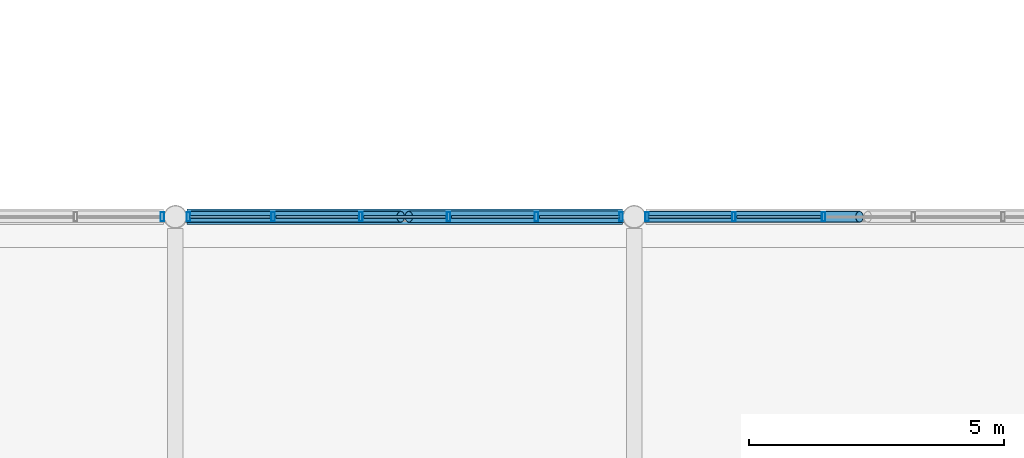
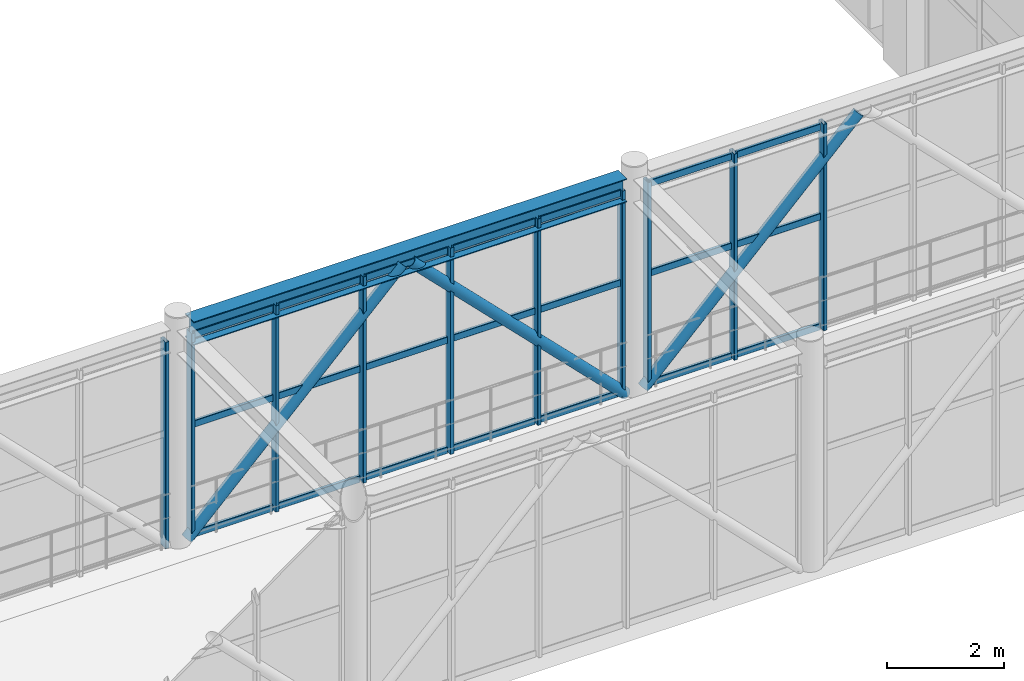
# One storey, part 61 of 178: 34 members, 1 beam, 3 elements without a shape of their own.
"""IFC4 building model written with IfcOpenShell, lengths in metres."""

import ifcopenshell
import ifcopenshell.guid

model = None  # the IFC model being written
_history = None  # IfcOwnerHistory: only IFC2X3 demands one
_inside = {}  # id of a spatial element -> (the spatial element, [elements in it])
_under = {}  # id of a project, library or spatial element -> (it, [spatial elements below it])
_declared = {}  # id of a project -> (the project, [libraries it declares])
_typed = {}  # id of a type object -> (the type object, [elements of that type])
_made_of = {}  # id of a material, layer set ... -> (it, [elements and type objects made of it])


def new_model(schema):
    """Start an empty IFC model of exactly this schema.

    Asked for "IFC4X3", IfcOpenShell would pick the latest addendum, in which some entities
    have other attributes; the version numbers below select the first issue.
    IFC2X3 requires an IfcOwnerHistory on every rooted entity: one is made here for all.
    """
    global model, _history
    if schema == "IFC4X3":
        model = ifcopenshell.file(schema_version=(4, 3, 0, 0))
    else:
        model = ifcopenshell.file(schema=schema)
    _inside.clear()
    _under.clear()
    _declared.clear()
    _typed.clear()
    _made_of.clear()
    _history = None
    if model.schema == "IFC2X3":
        org = make("IfcOrganization", Name="unknown")
        user = make(
            "IfcPersonAndOrganization",
            ThePerson=make("IfcPerson", FamilyName="unknown"),
            TheOrganization=org,
        )
        app = make(
            "IfcApplication",
            ApplicationDeveloper=org,
            Version="unknown",
            ApplicationFullName="unknown",
            ApplicationIdentifier="unknown",
        )
        _history = make(
            "IfcOwnerHistory",
            OwningUser=user,
            OwningApplication=app,
            ChangeAction="ADDED",
            CreationDate=0,
        )
    return model


def make(cls, **values):
    """One entity of the class cls with the attributes given. An attribute that is None is left unset."""
    return model.create_entity(
        cls, **{name: value for name, value in values.items() if value is not None}
    )


def rooted(cls, **values):
    """An entity with a GlobalId (a new one), such as an element, a storey or a relation."""
    return make(cls, GlobalId=ifcopenshell.guid.new(), OwnerHistory=_history, **values)


def si_unit(unit_type, name, prefix=None):
    """IfcSIUnit, for example si_unit("LENGTHUNIT", "METRE", prefix="MILLI")."""
    return make("IfcSIUnit", UnitType=unit_type, Prefix=prefix, Name=name)


def derived_unit(unit_type, elements):
    """IfcDerivedUnit: a product of units, each with its exponent."""
    return make(
        "IfcDerivedUnit",
        Elements=[
            make("IfcDerivedUnitElement", Unit=unit, Exponent=power)
            for unit, power in elements
        ],
        UnitType=unit_type,
    )


def assignment(units):
    """IfcUnitAssignment: the units of a project."""
    return None if units is None else make("IfcUnitAssignment", Units=units)


def point(xyz):
    """IfcCartesianPoint."""
    return None if xyz is None else make("IfcCartesianPoint", Coordinates=xyz)


def direction(xyz):
    """IfcDirection."""
    return None if xyz is None else make("IfcDirection", DirectionRatios=xyz)


def frame(location, z_axis=None, x_axis=None):
    """IfcAxis2Placement3D, a coordinate frame: its origin and axes. An axis left out is left unset."""
    return make(
        "IfcAxis2Placement3D",
        Location=point(location),
        Axis=direction(z_axis),
        RefDirection=direction(x_axis),
    )


def frame_2d(location, x_axis=None):
    """IfcAxis2Placement2D, a coordinate frame in the plane: its origin and x axis."""
    return make(
        "IfcAxis2Placement2D", Location=point(location), RefDirection=direction(x_axis)
    )


def origin():
    """The frame at (0, 0, 0) with its axes left unset."""
    return frame((0.0, 0.0, 0.0))


def origin_2d():
    """The frame at (0, 0) in the plane with its x axis left unset."""
    return frame_2d((0.0, 0.0))


def place(relative_to, where):
    """IfcLocalPlacement: puts the frame where relative to a parent placement (None: the world)."""
    return make(
        "IfcLocalPlacement", PlacementRelTo=relative_to, RelativePlacement=where
    )


def context(
    kind, dimensions, precision=None, world=None, true_north=None, identifier=None
):
    """IfcGeometricRepresentationContext, for example the 3D "Model" context."""
    return make(
        "IfcGeometricRepresentationContext",
        ContextIdentifier=identifier,
        ContextType=kind,
        CoordinateSpaceDimension=dimensions,
        Precision=precision,
        WorldCoordinateSystem=world,
        TrueNorth=true_north,
    )


def subcontext(parent, identifier, kind, view, scale=None):
    """IfcGeometricRepresentationSubContext, for example "Body" below "Model"."""
    return make(
        "IfcGeometricRepresentationSubContext",
        ContextIdentifier=identifier,
        ContextType=kind,
        ParentContext=parent,
        TargetScale=scale,
        TargetView=view,
    )


def project(units=None, contexts=None):
    """IfcProject with its units and contexts."""
    return rooted(
        "IfcProject",
        Name="project",
        RepresentationContexts=contexts,
        UnitsInContext=assignment(units),
    )


def spatial(cls, under=None, at=None, **own):
    """A site, building, storey or space (cls), placed at a placement, below another one or the project."""
    s = rooted(cls, ObjectPlacement=at, **own)
    if under is not None:
        _under.setdefault(under.id(), (under, []))[1].append(s)
    return s


def profile(cls, at=None, kind="AREA", **sizes):
    """A parametric profile (cls). Its sizes go by their IFC names, for example OverallWidth=200.0."""
    return make(cls, ProfileType=kind, Position=at, **sizes)


def hollow_rectangle(**sizes):
    """IfcRectangleHollowProfileDef."""
    return profile("IfcRectangleHollowProfileDef", **sizes)


def hollow_circle(**sizes):
    """IfcCircleHollowProfileDef."""
    return profile("IfcCircleHollowProfileDef", **sizes)


def i_section(**sizes):
    """IfcIShapeProfileDef."""
    return profile("IfcIShapeProfileDef", **sizes)


def extrude(swept, where, along, depth):
    """IfcExtrudedAreaSolid: the profile swept, set in the frame where, extruded along a direction by depth."""
    return make(
        "IfcExtrudedAreaSolid",
        SweptArea=swept,
        Position=where,
        ExtrudedDirection=direction(along),
        Depth=depth,
    )


def shape(context_of_items, identifier, shape_type, items):
    """IfcShapeRepresentation: the items that make up one representation, for example the "Body"."""
    return make(
        "IfcShapeRepresentation",
        ContextOfItems=context_of_items,
        RepresentationIdentifier=identifier,
        RepresentationType=shape_type,
        Items=items,
    )


def material(Name=None, Category=None):
    """IfcMaterial."""
    return make("IfcMaterial", Name=Name, Category=Category)


def material_profile(
    of_material, cross_section, Name=None, Category=None, Priority=None
):
    """IfcMaterialProfile: a cross section and its material."""
    return make(
        "IfcMaterialProfile",
        Name=Name,
        Material=of_material,
        Profile=cross_section,
        Priority=Priority,
        Category=Category,
    )


def profile_set(profiles, Name=None, composite=None):
    """IfcMaterialProfileSet."""
    return make(
        "IfcMaterialProfileSet",
        Name=Name,
        MaterialProfiles=profiles,
        CompositeProfile=composite,
    )


def made_of(thing, what):
    """Note that an element or type object is made of a material, layer set ...; save() writes the relation."""
    if what is not None:
        _made_of.setdefault(what.id(), (what, []))[1].append(thing)
    return thing


def type_object(cls, material=None, **own):
    """A type object (cls), such as IfcWallType, which elements share."""
    return made_of(rooted(cls, **own), material)


def element(
    cls,
    number,
    at=None,
    inside=None,
    cuts=None,
    type_object=None,
    material=None,
    context=None,
    identifier="Body",
    shape_type=None,
    held_by="IfcProductDefinitionShape",
    body=None,
    shapes=None,
    **own,
):
    """One element of the class cls, such as IfcWall. Its Tag is "e" and its number.

    at: its placement. inside: the storey or other place that contains it. cuts: it is an
    opening in that element (IfcRelVoidsElement). A single representation is given by context,
    identifier, shape_type and body (its items); several are given by shapes. held_by: the class
    of the entity that holds the representations. save() writes the other relations.
    """
    e = rooted(cls, Tag="e%d" % number, ObjectPlacement=at, **own)
    if body is not None:
        shapes = [shape(context, identifier, shape_type, body)]
    if shapes is not None:
        e.Representation = make(held_by, Representations=shapes)
    if inside is not None:
        _inside.setdefault(inside.id(), (inside, []))[1].append(e)
    if cuts is not None:
        rooted(
            "IfcRelVoidsElement", RelatingBuildingElement=cuts, RelatedOpeningElement=e
        )
    if type_object is not None:
        _typed.setdefault(type_object.id(), (type_object, []))[1].append(e)
    return made_of(e, material)


def aggregate(whole, parts):
    """IfcRelAggregates: a whole, such as a stair, and the parts it consists of."""
    return rooted("IfcRelAggregates", RelatingObject=whole, RelatedObjects=parts)


def save(model, path):
    """Write the relations noted so far, then the file.

    IfcRelAggregates (storeys below a building ...), IfcRelContainedInSpatialStructure (elements
    in a storey), IfcRelDefinesByType, IfcRelAssociatesMaterial and IfcRelDeclares: one each for
    every whole, place, type object, material and project.
    """
    for whole, parts in _under.values():
        aggregate(whole, parts)
    for where, things in _inside.values():
        rooted(
            "IfcRelContainedInSpatialStructure",
            RelatedElements=things,
            RelatingStructure=where,
        )
    for kind, things in _typed.values():
        rooted("IfcRelDefinesByType", RelatedObjects=things, RelatingType=kind)
    for what, things in _made_of.values():
        rooted("IfcRelAssociatesMaterial", RelatedObjects=things, RelatingMaterial=what)
    for by, libraries in _declared.values():
        rooted("IfcRelDeclares", RelatingContext=by, RelatedDefinitions=libraries)
    model.write(path)


model = new_model("IFC4")

# Units and contexts
model_context = context("Model", 3, precision=1e-05, world=origin(), true_north=direction((0.0, 1.0)))
body_context = subcontext(model_context, "Body", "Model", "MODEL_VIEW")
ifc_project = project(units=[si_unit("LENGTHUNIT", "METRE"), si_unit("AREAUNIT", "SQUARE_METRE"), si_unit("VOLUMEUNIT", "CUBIC_METRE"), si_unit("PLANEANGLEUNIT", "RADIAN"), si_unit("MASSUNIT", "GRAM", prefix="KILO"), derived_unit("THERMALTRANSMITTANCEUNIT", [(si_unit("MASSUNIT", "GRAM", prefix="KILO"), 1), (si_unit("TIMEUNIT", "SECOND"), -3), (si_unit("THERMODYNAMICTEMPERATUREUNIT", "KELVIN"), -1)])], contexts=[model_context])

# Site, building, storey
site_placement = place(None, origin())
site = spatial("IfcSite", under=ifc_project, at=site_placement, CompositionType="ELEMENT")
building_placement = place(site_placement, origin())
building = spatial("IfcBuilding", under=site, at=building_placement, Name="Zhenchuan Archway Interchange", CompositionType="ELEMENT")
storey_placement = place(building_placement, frame((0.0, 0.0, 5.39990234375)))
storey = spatial("IfcBuildingStorey", under=building, at=storey_placement, Name="L01", CompositionType="ELEMENT", Elevation=5.39990234375)

# Beam
ifc_material_1 = material(Name="Steel Q390", Category="steel")
ifc_material_profile_1 = material_profile(ifc_material_1, i_section(OverallWidth=0.300048828125, OverallDepth=0.488037109375, WebThickness=0.010986328125, FlangeThickness=0.01806640625, FilletRadius=0.02197265625, at=origin_2d()), Name="HM 488x300")
ifc_profile_set_1 = profile_set([ifc_material_profile_1], Name="Steel Q390")
beam_type = type_object("IfcBeamType", Name="BM_STL_HM488", PredefinedType="BEAM", material=ifc_profile_set_1)
beam_placement = place(storey_placement, frame((81.228515625, 58.0, 4.336181640625), z_axis=(1.0, 0.0, 0.0), x_axis=(0.0, 1.0, 0.0)))
element("IfcBeam", 1, at=beam_placement, inside=storey, type_object=beam_type, Name="Footbridge roof chord girder M-N (L01)", PredefinedType="BEAM", context=body_context, shape_type="SweptSolid", body=[
    extrude(i_section(OverallWidth=0.300048828125, OverallDepth=0.488037109375, WebThickness=0.010986328125, FlangeThickness=0.01806640625, FilletRadius=0.02197265625, at=origin_2d()), origin(), (0.0, 0.0, 1.0), 8.54296875),
])

# Curtain wall, member
ifc_material_2 = material(Name="Anodised Aluminium", Category="aluminium")
curtain_wall_type_1 = type_object("IfcCurtainWallType", Name="CW_UNIT_4", PredefinedType="NOTDEFINED", material=ifc_material_2)
curtain_wall_1_placement = place(storey_placement, origin())
curtain_wall_1 = element("IfcCurtainWall", 2, at=curtain_wall_1_placement, inside=storey, type_object=curtain_wall_type_1, Name="Unitised curtain wall CW:L01:055", PredefinedType="NOTDEFINED")
ifc_material_profile_2 = material_profile(ifc_material_2, hollow_rectangle(XDim=0.070068359375, YDim=0.179931640625, WallThickness=0.00390625, InnerFilletRadius=0.00390625, OuterFilletRadius=0.008056640625, at=origin_2d()), Name="ALU 180x70x4")
ifc_profile_set_2 = profile_set([ifc_material_profile_2], Name="Anodised Aluminium")
member_type_1 = type_object("IfcMemberType", Name="CW_MUL_180", PredefinedType="MULLION", material=ifc_profile_set_2)
member_1_placement = place(storey_placement, frame((80.744384765625, 58.0, 0.0), z_axis=(0.0, 0.0, 1.0), x_axis=(1.0, 0.0, 0.0)))
member_1 = element("IfcMember", 3, at=member_1_placement, type_object=member_type_1, Name="CW:L01:055 mullion 5", PredefinedType="MULLION", context=body_context, shape_type="SweptSolid", body=[
    extrude(hollow_rectangle(XDim=0.070068359375, YDim=0.179931640625, WallThickness=0.00390625, InnerFilletRadius=0.00390625, OuterFilletRadius=0.008056640625, at=origin_2d()), origin(), (0.0, 0.0, 1.0), 4.300048828125),
])
aggregate(curtain_wall_1, [member_1])

# Curtain wall, members
curtain_wall_type_2 = type_object("IfcCurtainWallType", Name="CW_UNIT_1", PredefinedType="NOTDEFINED", material=ifc_material_2)
curtain_wall_2_placement = place(storey_placement, origin())
curtain_wall_2 = element("IfcCurtainWall", 4, at=curtain_wall_2_placement, inside=storey, type_object=curtain_wall_type_2, Name="Unitised curtain wall CW:L01:056", PredefinedType="NOTDEFINED")
member_2_placement = place(storey_placement, frame((81.255615234375, 58.0, 0.0), z_axis=(0.0, 0.0, 1.0), x_axis=(1.0, 0.0, 0.0)))
member_2 = element("IfcMember", 5, at=member_2_placement, type_object=member_type_1, Name="CW:L01:056 mullion 0", PredefinedType="MULLION", context=body_context, shape_type="SweptSolid", body=[
    extrude(hollow_rectangle(XDim=0.070068359375, YDim=0.179931640625, WallThickness=0.00390625, InnerFilletRadius=0.00390625, OuterFilletRadius=0.008056640625, at=origin_2d()), origin(), (0.0, 0.0, 1.0), 4.300048828125),
])
member_3_placement = place(storey_placement, frame((82.917236328125, 58.0, 0.0), z_axis=(0.0, 0.0, 1.0), x_axis=(1.0, 0.0, 0.0)))
member_3 = element("IfcMember", 6, at=member_3_placement, type_object=member_type_1, Name="CW:L01:056 mullion 1", PredefinedType="MULLION", context=body_context, shape_type="SweptSolid", body=[
    extrude(hollow_rectangle(XDim=0.070068359375, YDim=0.179931640625, WallThickness=0.00390625, InnerFilletRadius=0.00390625, OuterFilletRadius=0.008056640625, at=origin_2d()), origin(), (0.0, 0.0, 1.0), 4.300048828125),
])
member_4_placement = place(storey_placement, frame((84.63916015625, 58.0, 0.0), z_axis=(0.0, 0.0, 1.0), x_axis=(1.0, 0.0, 0.0)))
member_4 = element("IfcMember", 7, at=member_4_placement, type_object=member_type_1, Name="CW:L01:056 mullion 2", PredefinedType="MULLION", context=body_context, shape_type="SweptSolid", body=[
    extrude(hollow_rectangle(XDim=0.070068359375, YDim=0.179931640625, WallThickness=0.00390625, InnerFilletRadius=0.00390625, OuterFilletRadius=0.008056640625, at=origin_2d()), origin(), (0.0, 0.0, 1.0), 4.300048828125),
])
member_5_placement = place(storey_placement, frame((86.36083984375, 58.0, 0.0), z_axis=(0.0, 0.0, 1.0), x_axis=(1.0, 0.0, 0.0)))
member_5 = element("IfcMember", 8, at=member_5_placement, type_object=member_type_1, Name="CW:L01:056 mullion 3", PredefinedType="MULLION", context=body_context, shape_type="SweptSolid", body=[
    extrude(hollow_rectangle(XDim=0.070068359375, YDim=0.179931640625, WallThickness=0.00390625, InnerFilletRadius=0.00390625, OuterFilletRadius=0.008056640625, at=origin_2d()), origin(), (0.0, 0.0, 1.0), 4.300048828125),
])
member_6_placement = place(storey_placement, frame((88.082763671875, 58.0, 0.0), z_axis=(0.0, 0.0, 1.0), x_axis=(1.0, 0.0, 0.0)))
member_6 = element("IfcMember", 9, at=member_6_placement, type_object=member_type_1, Name="CW:L01:056 mullion 4", PredefinedType="MULLION", context=body_context, shape_type="SweptSolid", body=[
    extrude(hollow_rectangle(XDim=0.070068359375, YDim=0.179931640625, WallThickness=0.00390625, InnerFilletRadius=0.00390625, OuterFilletRadius=0.008056640625, at=origin_2d()), origin(), (0.0, 0.0, 1.0), 4.300048828125),
])
member_7_placement = place(storey_placement, frame((89.744384765625, 58.0, 0.0), z_axis=(0.0, 0.0, 1.0), x_axis=(1.0, 0.0, 0.0)))
member_7 = element("IfcMember", 10, at=member_7_placement, type_object=member_type_1, Name="CW:L01:056 mullion 5", PredefinedType="MULLION", context=body_context, shape_type="SweptSolid", body=[
    extrude(hollow_rectangle(XDim=0.070068359375, YDim=0.179931640625, WallThickness=0.00390625, InnerFilletRadius=0.00390625, OuterFilletRadius=0.008056640625, at=origin_2d()), origin(), (0.0, 0.0, 1.0), 4.300048828125),
])

curtain_wall_type_3 = type_object("IfcCurtainWallType", Name="CW_UNIT_2", PredefinedType="NOTDEFINED", material=ifc_material_2)
curtain_wall_3_placement = place(storey_placement, origin())
curtain_wall_3 = element("IfcCurtainWall", 11, at=curtain_wall_3_placement, inside=storey, type_object=curtain_wall_type_3, Name="Unitised curtain wall CW:L01:057", PredefinedType="NOTDEFINED")
member_8_placement = place(storey_placement, frame((90.255615234375, 58.0, 0.0), z_axis=(0.0, 0.0, 1.0), x_axis=(1.0, 0.0, 0.0)))
member_8 = element("IfcMember", 12, at=member_8_placement, type_object=member_type_1, Name="CW:L01:057 mullion 0", PredefinedType="MULLION", context=body_context, shape_type="SweptSolid", body=[
    extrude(hollow_rectangle(XDim=0.070068359375, YDim=0.179931640625, WallThickness=0.00390625, InnerFilletRadius=0.00390625, OuterFilletRadius=0.008056640625, at=origin_2d()), origin(), (0.0, 0.0, 1.0), 4.300048828125),
])
member_9_placement = place(storey_placement, frame((91.956298828125, 58.0, 0.0), z_axis=(0.0, 0.0, 1.0), x_axis=(1.0, 0.0, 0.0)))
member_9 = element("IfcMember", 13, at=member_9_placement, type_object=member_type_1, Name="CW:L01:057 mullion 1", PredefinedType="MULLION", context=body_context, shape_type="SweptSolid", body=[
    extrude(hollow_rectangle(XDim=0.070068359375, YDim=0.179931640625, WallThickness=0.00390625, InnerFilletRadius=0.00390625, OuterFilletRadius=0.008056640625, at=origin_2d()), origin(), (0.0, 0.0, 1.0), 4.300048828125),
])
member_10_placement = place(storey_placement, frame((93.71728515625, 58.0, 0.0), z_axis=(0.0, 0.0, 1.0), x_axis=(1.0, 0.0, 0.0)))
member_10 = element("IfcMember", 14, at=member_10_placement, type_object=member_type_1, Name="CW:L01:057 mullion 2", PredefinedType="MULLION", context=body_context, shape_type="SweptSolid", body=[
    extrude(hollow_rectangle(XDim=0.070068359375, YDim=0.179931640625, WallThickness=0.00390625, InnerFilletRadius=0.00390625, OuterFilletRadius=0.008056640625, at=origin_2d()), origin(), (0.0, 0.0, 1.0), 4.300048828125),
])

# Member
ifc_material_profile_3 = material_profile(ifc_material_2, hollow_rectangle(XDim=0.06005859375, YDim=0.139892578125, WallThickness=0.00341796875, InnerFilletRadius=0.00341796875, OuterFilletRadius=0.007080078125, at=origin_2d()), Name="ALU 140x60x3.5")
ifc_profile_set_3 = profile_set([ifc_material_profile_3], Name="Anodised Aluminium")
member_type_2 = type_object("IfcMemberType", Name="CW_TRN_140", PredefinedType="USERDEFINED", material=ifc_profile_set_3)
member_11_placement = place(storey_placement, frame((81.275390625, 58.0, 0.06005859375), z_axis=(1.0, 0.0, 0.0), x_axis=(0.0, 1.0, 0.0)))
member_11 = element("IfcMember", 15, at=member_11_placement, type_object=member_type_2, Name="CW:L01:056 transom 0-1", ObjectType="TRANSOM", PredefinedType="USERDEFINED", context=body_context, shape_type="SweptSolid", body=[
    extrude(hollow_rectangle(XDim=0.06005859375, YDim=0.139892578125, WallThickness=0.00341796875, InnerFilletRadius=0.00341796875, OuterFilletRadius=0.007080078125, at=origin_2d()), origin(), (0.0, 0.0, 1.0), 1.58203125),
])

member_12_placement = place(storey_placement, frame((81.275390625, 58.0, 2.35400390625), z_axis=(1.0, 0.0, 0.0), x_axis=(0.0, 1.0, 0.0)))
member_12 = element("IfcMember", 16, at=member_12_placement, type_object=member_type_2, Name="CW:L01:056 transom 0-2", ObjectType="TRANSOM", PredefinedType="USERDEFINED", context=body_context, shape_type="SweptSolid", body=[
    extrude(hollow_rectangle(XDim=0.06005859375, YDim=0.139892578125, WallThickness=0.00341796875, InnerFilletRadius=0.00341796875, OuterFilletRadius=0.007080078125, at=origin_2d()), origin(), (0.0, 0.0, 1.0), 1.58203125),
])

member_13_placement = place(storey_placement, frame((81.275390625, 58.0, 4.22021484375), z_axis=(1.0, 0.0, 0.0), x_axis=(0.0, 1.0, 0.0)))
member_13 = element("IfcMember", 17, at=member_13_placement, type_object=member_type_2, Name="CW:L01:056 transom 0-3", ObjectType="TRANSOM", PredefinedType="USERDEFINED", context=body_context, shape_type="SweptSolid", body=[
    extrude(hollow_rectangle(XDim=0.06005859375, YDim=0.139892578125, WallThickness=0.00341796875, InnerFilletRadius=0.00341796875, OuterFilletRadius=0.007080078125, at=origin_2d()), origin(), (0.0, 0.0, 1.0), 1.58203125),
])

member_14_placement = place(storey_placement, frame((82.977294921875, 58.0, 0.06005859375), z_axis=(1.0, 0.0, 0.0), x_axis=(0.0, 1.0, 0.0)))
member_14 = element("IfcMember", 18, at=member_14_placement, type_object=member_type_2, Name="CW:L01:056 transom 1-1", ObjectType="TRANSOM", PredefinedType="USERDEFINED", context=body_context, shape_type="SweptSolid", body=[
    extrude(hollow_rectangle(XDim=0.06005859375, YDim=0.139892578125, WallThickness=0.00341796875, InnerFilletRadius=0.00341796875, OuterFilletRadius=0.007080078125, at=origin_2d()), origin(), (0.0, 0.0, 1.0), 1.601806640625),
])

member_15_placement = place(storey_placement, frame((82.977294921875, 58.0, 2.35400390625), z_axis=(1.0, 0.0, 0.0), x_axis=(0.0, 1.0, 0.0)))
member_15 = element("IfcMember", 19, at=member_15_placement, type_object=member_type_2, Name="CW:L01:056 transom 1-2", ObjectType="TRANSOM", PredefinedType="USERDEFINED", context=body_context, shape_type="SweptSolid", body=[
    extrude(hollow_rectangle(XDim=0.06005859375, YDim=0.139892578125, WallThickness=0.00341796875, InnerFilletRadius=0.00341796875, OuterFilletRadius=0.007080078125, at=origin_2d()), origin(), (0.0, 0.0, 1.0), 1.601806640625),
])

member_16_placement = place(storey_placement, frame((82.977294921875, 58.0, 4.22021484375), z_axis=(1.0, 0.0, 0.0), x_axis=(0.0, 1.0, 0.0)))
member_16 = element("IfcMember", 20, at=member_16_placement, type_object=member_type_2, Name="CW:L01:056 transom 1-3", ObjectType="TRANSOM", PredefinedType="USERDEFINED", context=body_context, shape_type="SweptSolid", body=[
    extrude(hollow_rectangle(XDim=0.06005859375, YDim=0.139892578125, WallThickness=0.00341796875, InnerFilletRadius=0.00341796875, OuterFilletRadius=0.007080078125, at=origin_2d()), origin(), (0.0, 0.0, 1.0), 1.601806640625),
])

member_17_placement = place(storey_placement, frame((84.69921875, 58.0, 0.06005859375), z_axis=(1.0, 0.0, 0.0), x_axis=(0.0, 1.0, 0.0)))
member_17 = element("IfcMember", 21, at=member_17_placement, type_object=member_type_2, Name="CW:L01:056 transom 2-1", ObjectType="TRANSOM", PredefinedType="USERDEFINED", context=body_context, shape_type="SweptSolid", body=[
    extrude(hollow_rectangle(XDim=0.06005859375, YDim=0.139892578125, WallThickness=0.00341796875, InnerFilletRadius=0.00341796875, OuterFilletRadius=0.007080078125, at=origin_2d()), origin(), (0.0, 0.0, 1.0), 1.6015625),
])

member_18_placement = place(storey_placement, frame((84.69921875, 58.0, 2.35400390625), z_axis=(1.0, 0.0, 0.0), x_axis=(0.0, 1.0, 0.0)))
member_18 = element("IfcMember", 22, at=member_18_placement, type_object=member_type_2, Name="CW:L01:056 transom 2-2", ObjectType="TRANSOM", PredefinedType="USERDEFINED", context=body_context, shape_type="SweptSolid", body=[
    extrude(hollow_rectangle(XDim=0.06005859375, YDim=0.139892578125, WallThickness=0.00341796875, InnerFilletRadius=0.00341796875, OuterFilletRadius=0.007080078125, at=origin_2d()), origin(), (0.0, 0.0, 1.0), 1.6015625),
])

member_19_placement = place(storey_placement, frame((84.69921875, 58.0, 4.22021484375), z_axis=(1.0, 0.0, 0.0), x_axis=(0.0, 1.0, 0.0)))
member_19 = element("IfcMember", 23, at=member_19_placement, type_object=member_type_2, Name="CW:L01:056 transom 2-3", ObjectType="TRANSOM", PredefinedType="USERDEFINED", context=body_context, shape_type="SweptSolid", body=[
    extrude(hollow_rectangle(XDim=0.06005859375, YDim=0.139892578125, WallThickness=0.00341796875, InnerFilletRadius=0.00341796875, OuterFilletRadius=0.007080078125, at=origin_2d()), origin(), (0.0, 0.0, 1.0), 1.6015625),
])

member_20_placement = place(storey_placement, frame((86.4208984375, 58.0, 0.06005859375), z_axis=(1.0, 0.0, 0.0), x_axis=(0.0, 1.0, 0.0)))
member_20 = element("IfcMember", 24, at=member_20_placement, type_object=member_type_2, Name="CW:L01:056 transom 3-1", ObjectType="TRANSOM", PredefinedType="USERDEFINED", context=body_context, shape_type="SweptSolid", body=[
    extrude(hollow_rectangle(XDim=0.06005859375, YDim=0.139892578125, WallThickness=0.00341796875, InnerFilletRadius=0.00341796875, OuterFilletRadius=0.007080078125, at=origin_2d()), origin(), (0.0, 0.0, 1.0), 1.601806640625),
])

member_21_placement = place(storey_placement, frame((86.4208984375, 58.0, 2.35400390625), z_axis=(1.0, 0.0, 0.0), x_axis=(0.0, 1.0, 0.0)))
member_21 = element("IfcMember", 25, at=member_21_placement, type_object=member_type_2, Name="CW:L01:056 transom 3-2", ObjectType="TRANSOM", PredefinedType="USERDEFINED", context=body_context, shape_type="SweptSolid", body=[
    extrude(hollow_rectangle(XDim=0.06005859375, YDim=0.139892578125, WallThickness=0.00341796875, InnerFilletRadius=0.00341796875, OuterFilletRadius=0.007080078125, at=origin_2d()), origin(), (0.0, 0.0, 1.0), 1.601806640625),
])

member_22_placement = place(storey_placement, frame((86.4208984375, 58.0, 4.22021484375), z_axis=(1.0, 0.0, 0.0), x_axis=(0.0, 1.0, 0.0)))
member_22 = element("IfcMember", 26, at=member_22_placement, type_object=member_type_2, Name="CW:L01:056 transom 3-3", ObjectType="TRANSOM", PredefinedType="USERDEFINED", context=body_context, shape_type="SweptSolid", body=[
    extrude(hollow_rectangle(XDim=0.06005859375, YDim=0.139892578125, WallThickness=0.00341796875, InnerFilletRadius=0.00341796875, OuterFilletRadius=0.007080078125, at=origin_2d()), origin(), (0.0, 0.0, 1.0), 1.601806640625),
])

member_23_placement = place(storey_placement, frame((88.142578125, 58.0, 0.06005859375), z_axis=(1.0, 0.0, 0.0), x_axis=(0.0, 1.0, 0.0)))
member_23 = element("IfcMember", 27, at=member_23_placement, type_object=member_type_2, Name="CW:L01:056 transom 4-1", ObjectType="TRANSOM", PredefinedType="USERDEFINED", context=body_context, shape_type="SweptSolid", body=[
    extrude(hollow_rectangle(XDim=0.06005859375, YDim=0.139892578125, WallThickness=0.00341796875, InnerFilletRadius=0.00341796875, OuterFilletRadius=0.007080078125, at=origin_2d()), origin(), (0.0, 0.0, 1.0), 1.58203125),
])

member_24_placement = place(storey_placement, frame((88.142578125, 58.0, 2.35400390625), z_axis=(1.0, 0.0, 0.0), x_axis=(0.0, 1.0, 0.0)))
member_24 = element("IfcMember", 28, at=member_24_placement, type_object=member_type_2, Name="CW:L01:056 transom 4-2", ObjectType="TRANSOM", PredefinedType="USERDEFINED", context=body_context, shape_type="SweptSolid", body=[
    extrude(hollow_rectangle(XDim=0.06005859375, YDim=0.139892578125, WallThickness=0.00341796875, InnerFilletRadius=0.00341796875, OuterFilletRadius=0.007080078125, at=origin_2d()), origin(), (0.0, 0.0, 1.0), 1.58203125),
])

member_25_placement = place(storey_placement, frame((88.142578125, 58.0, 4.22021484375), z_axis=(1.0, 0.0, 0.0), x_axis=(0.0, 1.0, 0.0)))
member_25 = element("IfcMember", 29, at=member_25_placement, type_object=member_type_2, Name="CW:L01:056 transom 4-3", ObjectType="TRANSOM", PredefinedType="USERDEFINED", context=body_context, shape_type="SweptSolid", body=[
    extrude(hollow_rectangle(XDim=0.06005859375, YDim=0.139892578125, WallThickness=0.00341796875, InnerFilletRadius=0.00341796875, OuterFilletRadius=0.007080078125, at=origin_2d()), origin(), (0.0, 0.0, 1.0), 1.58203125),
])

aggregate(curtain_wall_2, [member_2, member_3, member_4, member_5, member_6, member_7, member_11, member_12, member_13, member_14, member_15, member_16, member_17, member_18, member_19, member_20, member_21, member_22, member_23, member_24, member_25])

member_26_placement = place(storey_placement, frame((90.275390625, 58.0, 0.06005859375), z_axis=(1.0, 0.0, 0.0), x_axis=(0.0, 1.0, 0.0)))
member_26 = element("IfcMember", 30, at=member_26_placement, type_object=member_type_2, Name="CW:L01:057 transom 0-1", ObjectType="TRANSOM", PredefinedType="USERDEFINED", context=body_context, shape_type="SweptSolid", body=[
    extrude(hollow_rectangle(XDim=0.06005859375, YDim=0.139892578125, WallThickness=0.00341796875, InnerFilletRadius=0.00341796875, OuterFilletRadius=0.007080078125, at=origin_2d()), origin(), (0.0, 0.0, 1.0), 1.62109375),
])

member_27_placement = place(storey_placement, frame((90.275390625, 58.0, 2.35400390625), z_axis=(1.0, 0.0, 0.0), x_axis=(0.0, 1.0, 0.0)))
member_27 = element("IfcMember", 31, at=member_27_placement, type_object=member_type_2, Name="CW:L01:057 transom 0-2", ObjectType="TRANSOM", PredefinedType="USERDEFINED", context=body_context, shape_type="SweptSolid", body=[
    extrude(hollow_rectangle(XDim=0.06005859375, YDim=0.139892578125, WallThickness=0.00341796875, InnerFilletRadius=0.00341796875, OuterFilletRadius=0.007080078125, at=origin_2d()), origin(), (0.0, 0.0, 1.0), 1.62109375),
])

member_28_placement = place(storey_placement, frame((90.275390625, 58.0, 4.22021484375), z_axis=(1.0, 0.0, 0.0), x_axis=(0.0, 1.0, 0.0)))
member_28 = element("IfcMember", 32, at=member_28_placement, type_object=member_type_2, Name="CW:L01:057 transom 0-3", ObjectType="TRANSOM", PredefinedType="USERDEFINED", context=body_context, shape_type="SweptSolid", body=[
    extrude(hollow_rectangle(XDim=0.06005859375, YDim=0.139892578125, WallThickness=0.00341796875, InnerFilletRadius=0.00341796875, OuterFilletRadius=0.007080078125, at=origin_2d()), origin(), (0.0, 0.0, 1.0), 1.62109375),
])

member_29_placement = place(storey_placement, frame((92.016357421875, 58.0, 0.06005859375), z_axis=(1.0, 0.0, 0.0), x_axis=(0.0, 1.0, 0.0)))
member_29 = element("IfcMember", 33, at=member_29_placement, type_object=member_type_2, Name="CW:L01:057 transom 1-1", ObjectType="TRANSOM", PredefinedType="USERDEFINED", context=body_context, shape_type="SweptSolid", body=[
    extrude(hollow_rectangle(XDim=0.06005859375, YDim=0.139892578125, WallThickness=0.00341796875, InnerFilletRadius=0.00341796875, OuterFilletRadius=0.007080078125, at=origin_2d()), origin(), (0.0, 0.0, 1.0), 1.640869140625),
])

member_30_placement = place(storey_placement, frame((92.016357421875, 58.0, 2.35400390625), z_axis=(1.0, 0.0, 0.0), x_axis=(0.0, 1.0, 0.0)))
member_30 = element("IfcMember", 34, at=member_30_placement, type_object=member_type_2, Name="CW:L01:057 transom 1-2", ObjectType="TRANSOM", PredefinedType="USERDEFINED", context=body_context, shape_type="SweptSolid", body=[
    extrude(hollow_rectangle(XDim=0.06005859375, YDim=0.139892578125, WallThickness=0.00341796875, InnerFilletRadius=0.00341796875, OuterFilletRadius=0.007080078125, at=origin_2d()), origin(), (0.0, 0.0, 1.0), 1.640869140625),
])

member_31_placement = place(storey_placement, frame((92.016357421875, 58.0, 4.22021484375), z_axis=(1.0, 0.0, 0.0), x_axis=(0.0, 1.0, 0.0)))
member_31 = element("IfcMember", 35, at=member_31_placement, type_object=member_type_2, Name="CW:L01:057 transom 1-3", ObjectType="TRANSOM", PredefinedType="USERDEFINED", context=body_context, shape_type="SweptSolid", body=[
    extrude(hollow_rectangle(XDim=0.06005859375, YDim=0.139892578125, WallThickness=0.00341796875, InnerFilletRadius=0.00341796875, OuterFilletRadius=0.007080078125, at=origin_2d()), origin(), (0.0, 0.0, 1.0), 1.640869140625),
])

aggregate(curtain_wall_3, [member_8, member_9, member_10, member_26, member_27, member_28, member_29, member_30, member_31])

# Members
ifc_material_3 = material(Name="Steel Q355", Category="steel")
ifc_material_profile_4 = material_profile(ifc_material_3, hollow_circle(Radius=0.109619140625, WallThickness=0.008056640625, at=origin_2d()), Name="CHS 219x8")
ifc_profile_set_4 = profile_set([ifc_material_profile_4], Name="Steel Q355")
member_type_3 = type_object("IfcMemberType", Name="MB_CHS219", PredefinedType="BRACE", material=ifc_profile_set_4)
for number, where, z_axis, x_axis, name in (
    (36, (81.179931640625, 58.0, 0.0), (0.706272605819, 0.0, 0.707939973634), (0.0, 1.0, 0.0), "Footbridge truss diagonal M-NL"),
    (37, (89.820068359375, 58.0, 0.0), (-0.706272605819, 0.0, 0.707939973634), (0.0, -1.0, 0.0), "Footbridge truss diagonal M-NR"),
    (38, (90.179931640625, 58.0, 0.0), (0.706272605819, 0.0, 0.707939973634), (0.0, 1.0, 0.0), "Footbridge truss diagonal E-NL"),
):
    element("IfcMember", number, at=place(storey_placement, frame(where, z_axis=z_axis, x_axis=x_axis)), inside=storey, type_object=member_type_3, Name=name, PredefinedType="BRACE", context=body_context, shape_type="SweptSolid", body=[
        extrude(hollow_circle(Radius=0.109619140625, WallThickness=0.008056640625, at=origin_2d()), origin(), (0.0, 0.0, 1.0), 6.00341796875),
    ])

save(model, "model.ifc")
